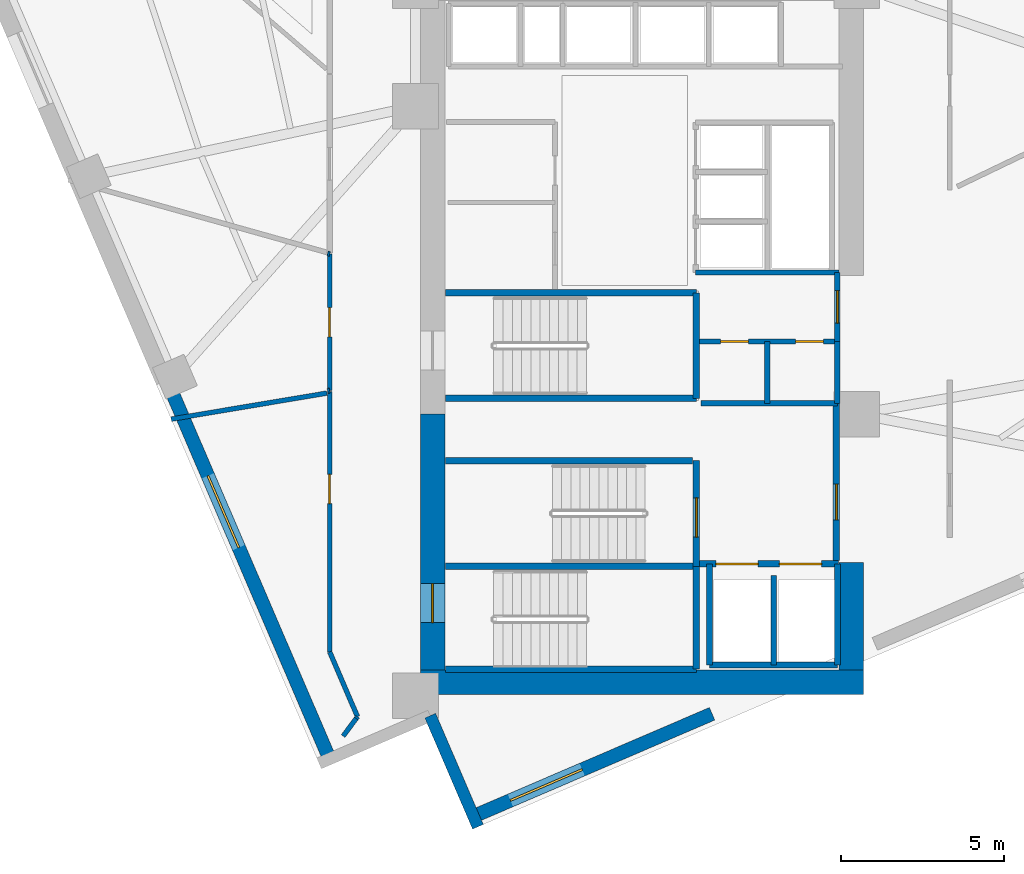
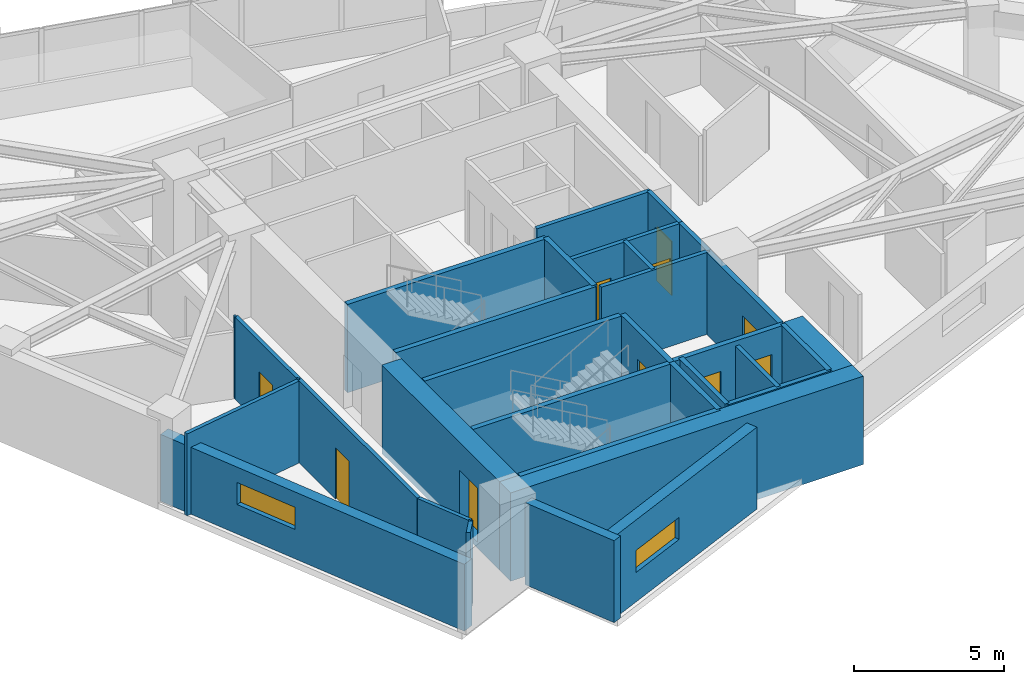
# One storey, part 9 of 14: 34 walls, 10 doors, 2 windows, 12 openings.
"""IFC4 building model written with IfcOpenShell, lengths in metres."""

import ifcopenshell
import ifcopenshell.guid

model = None  # the IFC model being written
_history = None  # IfcOwnerHistory: only IFC2X3 demands one
_inside = {}  # id of a spatial element -> (the spatial element, [elements in it])
_under = {}  # id of a project, library or spatial element -> (it, [spatial elements below it])
_declared = {}  # id of a project -> (the project, [libraries it declares])
_typed = {}  # id of a type object -> (the type object, [elements of that type])
_made_of = {}  # id of a material, layer set ... -> (it, [elements and type objects made of it])


def new_model(schema):
    """Start an empty IFC model of exactly this schema.

    Asked for "IFC4X3", IfcOpenShell would pick the latest addendum, in which some entities
    have other attributes; the version numbers below select the first issue.
    IFC2X3 requires an IfcOwnerHistory on every rooted entity: one is made here for all.
    """
    global model, _history
    if schema == "IFC4X3":
        model = ifcopenshell.file(schema_version=(4, 3, 0, 0))
    else:
        model = ifcopenshell.file(schema=schema)
    _inside.clear()
    _under.clear()
    _declared.clear()
    _typed.clear()
    _made_of.clear()
    _history = None
    if model.schema == "IFC2X3":
        org = make("IfcOrganization", Name="unknown")
        user = make(
            "IfcPersonAndOrganization",
            ThePerson=make("IfcPerson", FamilyName="unknown"),
            TheOrganization=org,
        )
        app = make(
            "IfcApplication",
            ApplicationDeveloper=org,
            Version="unknown",
            ApplicationFullName="unknown",
            ApplicationIdentifier="unknown",
        )
        _history = make(
            "IfcOwnerHistory",
            OwningUser=user,
            OwningApplication=app,
            ChangeAction="ADDED",
            CreationDate=0,
        )
    return model


def make(cls, **values):
    """One entity of the class cls with the attributes given. An attribute that is None is left unset."""
    return model.create_entity(
        cls, **{name: value for name, value in values.items() if value is not None}
    )


def rooted(cls, **values):
    """An entity with a GlobalId (a new one), such as an element, a storey or a relation."""
    return make(cls, GlobalId=ifcopenshell.guid.new(), OwnerHistory=_history, **values)


def si_unit(unit_type, name, prefix=None):
    """IfcSIUnit, for example si_unit("LENGTHUNIT", "METRE", prefix="MILLI")."""
    return make("IfcSIUnit", UnitType=unit_type, Prefix=prefix, Name=name)


def assignment(units):
    """IfcUnitAssignment: the units of a project."""
    return None if units is None else make("IfcUnitAssignment", Units=units)


def point(xyz):
    """IfcCartesianPoint."""
    return None if xyz is None else make("IfcCartesianPoint", Coordinates=xyz)


def direction(xyz):
    """IfcDirection."""
    return None if xyz is None else make("IfcDirection", DirectionRatios=xyz)


def frame(location, z_axis=None, x_axis=None):
    """IfcAxis2Placement3D, a coordinate frame: its origin and axes. An axis left out is left unset."""
    return make(
        "IfcAxis2Placement3D",
        Location=point(location),
        Axis=direction(z_axis),
        RefDirection=direction(x_axis),
    )


def frame_2d(location, x_axis=None):
    """IfcAxis2Placement2D, a coordinate frame in the plane: its origin and x axis."""
    return make(
        "IfcAxis2Placement2D", Location=point(location), RefDirection=direction(x_axis)
    )


def origin():
    """The frame at (0, 0, 0) with its axes left unset."""
    return frame((0.0, 0.0, 0.0))


def place(relative_to, where):
    """IfcLocalPlacement: puts the frame where relative to a parent placement (None: the world)."""
    return make(
        "IfcLocalPlacement", PlacementRelTo=relative_to, RelativePlacement=where
    )


def context(
    kind, dimensions, precision=None, world=None, true_north=None, identifier=None
):
    """IfcGeometricRepresentationContext, for example the 3D "Model" context."""
    return make(
        "IfcGeometricRepresentationContext",
        ContextIdentifier=identifier,
        ContextType=kind,
        CoordinateSpaceDimension=dimensions,
        Precision=precision,
        WorldCoordinateSystem=world,
        TrueNorth=true_north,
    )


def subcontext(parent, identifier, kind, view, scale=None):
    """IfcGeometricRepresentationSubContext, for example "Body" below "Model"."""
    return make(
        "IfcGeometricRepresentationSubContext",
        ContextIdentifier=identifier,
        ContextType=kind,
        ParentContext=parent,
        TargetScale=scale,
        TargetView=view,
    )


def project(units=None, contexts=None):
    """IfcProject with its units and contexts."""
    return rooted(
        "IfcProject",
        Name="project",
        RepresentationContexts=contexts,
        UnitsInContext=assignment(units),
    )


def spatial(cls, under=None, at=None, **own):
    """A site, building, storey or space (cls), placed at a placement, below another one or the project."""
    s = rooted(cls, ObjectPlacement=at, **own)
    if under is not None:
        _under.setdefault(under.id(), (under, []))[1].append(s)
    return s


def profile(cls, at=None, kind="AREA", **sizes):
    """A parametric profile (cls). Its sizes go by their IFC names, for example OverallWidth=200.0."""
    return make(cls, ProfileType=kind, Position=at, **sizes)


def rectangle(**sizes):
    """IfcRectangleProfileDef."""
    return profile("IfcRectangleProfileDef", **sizes)


def extrude(swept, where, along, depth):
    """IfcExtrudedAreaSolid: the profile swept, set in the frame where, extruded along a direction by depth."""
    return make(
        "IfcExtrudedAreaSolid",
        SweptArea=swept,
        Position=where,
        ExtrudedDirection=direction(along),
        Depth=depth,
    )


def shape(context_of_items, identifier, shape_type, items):
    """IfcShapeRepresentation: the items that make up one representation, for example the "Body"."""
    return make(
        "IfcShapeRepresentation",
        ContextOfItems=context_of_items,
        RepresentationIdentifier=identifier,
        RepresentationType=shape_type,
        Items=items,
    )


def material(Name=None, Category=None):
    """IfcMaterial."""
    return make("IfcMaterial", Name=Name, Category=Category)


def layer(
    of_material, thickness, ventilated=None, Name=None, Category=None, Priority=None
):
    """IfcMaterialLayer: one layer of a wall or slab, of a material (None: an air gap)."""
    return make(
        "IfcMaterialLayer",
        Material=of_material,
        LayerThickness=thickness,
        IsVentilated=ventilated,
        Name=Name,
        Category=Category,
        Priority=Priority,
    )


def layer_set(layers, Name=None):
    """IfcMaterialLayerSet."""
    return make("IfcMaterialLayerSet", MaterialLayers=layers, LayerSetName=Name)


def made_of(thing, what):
    """Note that an element or type object is made of a material, layer set ...; save() writes the relation."""
    if what is not None:
        _made_of.setdefault(what.id(), (what, []))[1].append(thing)
    return thing


def type_object(cls, material=None, **own):
    """A type object (cls), such as IfcWallType, which elements share."""
    return made_of(rooted(cls, **own), material)


def element(
    cls,
    number,
    at=None,
    inside=None,
    cuts=None,
    type_object=None,
    material=None,
    context=None,
    identifier="Body",
    shape_type=None,
    held_by="IfcProductDefinitionShape",
    body=None,
    shapes=None,
    **own,
):
    """One element of the class cls, such as IfcWall. Its Tag is "e" and its number.

    at: its placement. inside: the storey or other place that contains it. cuts: it is an
    opening in that element (IfcRelVoidsElement). A single representation is given by context,
    identifier, shape_type and body (its items); several are given by shapes. held_by: the class
    of the entity that holds the representations. save() writes the other relations.
    """
    e = rooted(cls, Tag="e%d" % number, ObjectPlacement=at, **own)
    if body is not None:
        shapes = [shape(context, identifier, shape_type, body)]
    if shapes is not None:
        e.Representation = make(held_by, Representations=shapes)
    if inside is not None:
        _inside.setdefault(inside.id(), (inside, []))[1].append(e)
    if cuts is not None:
        rooted(
            "IfcRelVoidsElement", RelatingBuildingElement=cuts, RelatedOpeningElement=e
        )
    if type_object is not None:
        _typed.setdefault(type_object.id(), (type_object, []))[1].append(e)
    return made_of(e, material)


def fill(opening, filler):
    """IfcRelFillsElement: the door or window that sits in an opening."""
    return rooted(
        "IfcRelFillsElement",
        RelatingOpeningElement=opening,
        RelatedBuildingElement=filler,
    )


def aggregate(whole, parts):
    """IfcRelAggregates: a whole, such as a stair, and the parts it consists of."""
    return rooted("IfcRelAggregates", RelatingObject=whole, RelatedObjects=parts)


def save(model, path):
    """Write the relations noted so far, then the file.

    IfcRelAggregates (storeys below a building ...), IfcRelContainedInSpatialStructure (elements
    in a storey), IfcRelDefinesByType, IfcRelAssociatesMaterial and IfcRelDeclares: one each for
    every whole, place, type object, material and project.
    """
    for whole, parts in _under.values():
        aggregate(whole, parts)
    for where, things in _inside.values():
        rooted(
            "IfcRelContainedInSpatialStructure",
            RelatedElements=things,
            RelatingStructure=where,
        )
    for kind, things in _typed.values():
        rooted("IfcRelDefinesByType", RelatedObjects=things, RelatingType=kind)
    for what, things in _made_of.values():
        rooted("IfcRelAssociatesMaterial", RelatedObjects=things, RelatingMaterial=what)
    for by, libraries in _declared.values():
        rooted("IfcRelDeclares", RelatingContext=by, RelatedDefinitions=libraries)
    model.write(path)


model = new_model("IFC4")

# Units and contexts
model_context = context("Model", 3, precision=1e-05, world=origin(), true_north=direction((0.0, 1.0)))
body_context = subcontext(model_context, "Body", "Model", "MODEL_VIEW")
ifc_project = project(units=[si_unit("LENGTHUNIT", "METRE"), si_unit("AREAUNIT", "SQUARE_METRE"), si_unit("VOLUMEUNIT", "CUBIC_METRE"), si_unit("PLANEANGLEUNIT", "RADIAN"), si_unit("MASSUNIT", "GRAM", prefix="KILO")], contexts=[model_context])

# Site, building, storey
site_placement = place(None, origin())
site = spatial("IfcSite", under=ifc_project, at=site_placement, CompositionType="ELEMENT")
building_placement = place(site_placement, origin())
building = spatial("IfcBuilding", under=site, at=building_placement, Name="Narakoshi Arena Tower", CompositionType="ELEMENT")
storey_placement = place(building_placement, frame((0.0, 0.0, 175.5)))
storey = spatial("IfcBuildingStorey", under=building, at=storey_placement, Name="L47", CompositionType="ELEMENT", Elevation=175.5)

# Wall, opening, door
ifc_material_1 = material(Name="Concrete C50/60", Category="concrete")
ifc_layer_1 = layer(ifc_material_1, 0.75)
ifc_layer_set_1 = layer_set([ifc_layer_1], Name="Concrete C50/60")
wall_type_1 = type_object("IfcWallType", Name="WL-CORE-750", PredefinedType="SHEAR", material=ifc_layer_set_1)
wall_1_placement = place(storey_placement, frame((72.52490234375, 35.5, -0.260009765625), z_axis=(0.0, 0.0, 1.0), x_axis=(0.0, 1.0, 0.0)))
wall_1 = element("IfcWall", 1, at=wall_1_placement, inside=storey, type_object=wall_type_1, Name="L47 Central Core Shear Wall CW-APX-W", PredefinedType="SHEAR", context=body_context, shape_type="SweptSolid", body=[
    extrude(rectangle(XDim=7.85009765625, YDim=0.75, at=frame_2d((3.925048828125, 0.0))), origin(), (0.0, 0.0, 1.0), 3.60009765625),
])
opening_1_placement = place(wall_1_placement, frame((1.449951171875, 0.0, 0.260009765625)))
opening_1 = element("IfcOpeningElement", 2, at=opening_1_placement, cuts=wall_1, Name="Opening D-03", PredefinedType="OPENING", context=body_context, shape_type="SweptSolid", body=[
    extrude(rectangle(XDim=1.199951171875, YDim=2.199951171875, at=frame_2d((0.60009765625, 1.10009765625))), frame((0.0, 0.385009765625, 0.0), z_axis=(0.0, -1.0, 0.0), x_axis=(1.0, 0.0, 0.0)), (0.0, 0.0, 1.0), 0.77001953125),
])
ifc_material_2 = material(Name="Painted galvanized steel", Category="steel")
door_type_1 = type_object("IfcDoorType", Name="DR-STR-1200", OperationType="NOTDEFINED", PredefinedType="USERDEFINED", material=ifc_material_2)
door_1_placement = place(opening_1_placement, frame((1.199951171875, 0.0, 0.0), z_axis=(0.0, 0.0, 1.0), x_axis=(-1.0, 0.0, 0.0)))
door_1 = element("IfcDoor", 3, at=door_1_placement, inside=storey, type_object=door_type_1, Name="DR-L47-001", ObjectType="EXITDOOR", OperationType="SINGLE_SWING_LEFT", OverallHeight=2.199951171875, OverallWidth=1.199951171875, PredefinedType="USERDEFINED", context=body_context, shape_type="SweptSolid", body=[
    extrude(rectangle(XDim=1.199951171875, YDim=2.199951171875, at=frame_2d((0.60009765625, 1.10009765625))), frame((0.0, 0.02490234375, 0.0), z_axis=(0.0, -1.0, 0.0), x_axis=(1.0, 0.0, 0.0)), (0.0, 0.0, 1.0), 0.050048828125),
])
fill(opening_1, door_1)

# Walls
wall_2_placement = place(storey_placement, frame((72.14990234375, 35.125, -0.260009765625), z_axis=(0.0, 0.0, 1.0), x_axis=(1.0, 0.0, 0.0)))
element("IfcWall", 4, at=wall_2_placement, inside=storey, type_object=wall_type_1, Name="L47 Central Core Shear Wall CW-APX-S", PredefinedType="SHEAR", context=body_context, shape_type="SweptSolid", body=[
    extrude(rectangle(XDim=13.60009765625, YDim=0.75, at=frame_2d((6.800048828125, 0.0))), origin(), (0.0, 0.0, 1.0), 3.60009765625),
])
wall_3_placement = place(storey_placement, frame((85.375, 35.5, -0.260009765625), z_axis=(0.0, 0.0, 1.0), x_axis=(0.0, 1.0, 0.0)))
element("IfcWall", 5, at=wall_3_placement, inside=storey, type_object=wall_type_1, Name="L47 Central Core Shear Wall CW-APX-E", PredefinedType="SHEAR", context=body_context, shape_type="SweptSolid", body=[
    extrude(rectangle(XDim=3.300048828125, YDim=0.75, at=frame_2d((1.64990234375, 0.0))), origin(), (0.0, 0.0, 1.0), 3.60009765625),
])

# Wall, opening, door
ifc_material_3 = material(Name="Gypsum plasterboard fire-rated partition")
ifc_layer_2 = layer(ifc_material_3, 0.1650390625)
ifc_layer_set_2 = layer_set([ifc_layer_2], Name="Gypsum plasterboard fire-rated partition")
wall_type_2 = type_object("IfcWallType", Name="WL-CORR-165", PredefinedType="PARTITIONING", material=ifc_layer_set_2)
wall_4_placement = place(storey_placement, frame((84.949951171875, 45.580078125, 0.0), z_axis=(0.0, 0.0, 1.0), x_axis=(0.0, 1.0, 0.0)))
wall_4 = element("IfcWall", 6, at=wall_4_placement, inside=storey, type_object=wall_type_2, Name="L47 Core Wall CPAS-E", PredefinedType="PARTITIONING", context=body_context, shape_type="SweptSolid", body=[
    extrude(rectangle(XDim=2.119873046875, YDim=0.1650390625, at=frame_2d((1.06005859375, 0.0))), origin(), (0.0, 0.0, 1.0), 3.340087890625),
])
opening_2_placement = place(wall_4_placement, frame((0.56005859375, 0.0, 0.0)))
opening_2 = element("IfcOpeningElement", 7, at=opening_2_placement, cuts=wall_4, Name="Opening D-06", PredefinedType="OPENING", context=body_context, shape_type="SweptSolid", body=[
    extrude(rectangle(XDim=1.0, YDim=2.199951171875, at=frame_2d((0.5, 1.10009765625))), frame((0.0, 0.092529296875, 0.0), z_axis=(0.0, -1.0, 0.0), x_axis=(1.0, 0.0, 0.0)), (0.0, 0.0, 1.0), 0.18505859375),
])
ifc_material_4 = material(Name="Stained oak solid-core timber", Category="wood")
door_type_2 = type_object("IfcDoorType", Name="DR-OFF-1000", OperationType="NOTDEFINED", PredefinedType="DOOR", material=ifc_material_4)
door_2_placement = place(opening_2_placement, frame((1.0, 0.0, 0.0), z_axis=(0.0, 0.0, 1.0), x_axis=(-1.0, 0.0, 0.0)))
door_2 = element("IfcDoor", 8, at=door_2_placement, inside=storey, type_object=door_type_2, Name="DR-L47-007", OperationType="SINGLE_SWING_LEFT", OverallHeight=2.199951171875, OverallWidth=1.0, PredefinedType="DOOR", context=body_context, shape_type="SweptSolid", body=[
    extrude(rectangle(XDim=1.0, YDim=2.199951171875, at=frame_2d((0.5, 1.10009765625))), frame((0.0, 0.02490234375, 0.0), z_axis=(0.0, -1.0, 0.0), x_axis=(1.0, 0.0, 0.0)), (0.0, 0.0, 1.0), 0.050048828125),
])
fill(opening_2, door_2)

# Wall, opening, window
ifc_material_5 = material(Name="Precast concrete C45/55", Category="concrete")
ifc_layer_3 = layer(ifc_material_5, 0.419921875)
ifc_layer_set_3 = layer_set([ifc_layer_3], Name="Precast concrete C45/55")
wall_type_3 = type_object("IfcWallType", Name="WL-POD-420", PredefinedType="SOLIDWALL", material=ifc_layer_set_3)
wall_5_placement = place(storey_placement, frame((73.77880859375, 31.002685546875, 0.0), z_axis=(0.0, 0.0, 1.0), x_axis=(0.918797817688, 0.394728476565, 0.0)))
wall_5 = element("IfcWall", 9, at=wall_5_placement, inside=storey, type_object=wall_type_3, Name="L47 Architectural Concrete Facade Wall LEGA-1", PredefinedType="SOLIDWALL", context=body_context, shape_type="SweptSolid", body=[
    extrude(rectangle(XDim=7.97314453125, YDim=0.419921875, at=frame_2d((3.986572265625, 0.0))), origin(), (0.0, 0.0, 1.0), 3.340087890625),
])
opening_3_placement = place(wall_5_placement, frame((1.234130859375, 0.0, 1.199951171875)))
opening_3 = element("IfcOpeningElement", 10, at=opening_3_placement, cuts=wall_5, Name="Opening WN-01", PredefinedType="OPENING", context=body_context, shape_type="SweptSolid", body=[
    extrude(rectangle(XDim=2.39990234375, YDim=0.89990234375, at=frame_2d((1.199951171875, 0.449951171875))), frame((0.0, 0.219970703125, 0.0), z_axis=(0.0, -1.0, 0.0), x_axis=(1.0, 0.0, 0.0)), (0.0, 0.0, 1.0), 0.43994140625),
])
ifc_material_6 = material(Name="Bronze-tinted low-E laminated glass", Category="glass")
window_type = type_object("IfcWindowType", Name="WIN-SLT-24x09", PartitioningType="SINGLE_PANEL", PredefinedType="WINDOW", material=ifc_material_6)
window_1_placement = place(opening_3_placement, origin())
window_1 = element("IfcWindow", 11, at=window_1_placement, inside=storey, type_object=window_type, Name="L47 LEGA1 Horizontal Slot Window 1", OverallHeight=0.89990234375, OverallWidth=2.39990234375, PartitioningType="SINGLE_PANEL", PredefinedType="WINDOW", context=body_context, shape_type="SweptSolid", body=[
    extrude(rectangle(XDim=2.39990234375, YDim=0.89990234375, at=frame_2d((1.199951171875, 0.449951171875))), frame((0.0, 0.030029296875, 0.0), z_axis=(0.0, -1.0, 0.0), x_axis=(1.0, 0.0, 0.0)), (0.0, 0.0, 1.0), 0.06005859375),
])
fill(opening_3, window_1)

wall_6_placement = place(storey_placement, frame((64.36669921875, 44.390869140625, 0.0), z_axis=(0.0, 0.0, 1.0), x_axis=(0.394757430431, -0.918785378159, 0.0)))
wall_6 = element("IfcWall", 12, at=wall_6_placement, inside=storey, type_object=wall_type_3, Name="L47 Architectural Concrete Facade Wall LEGB-3", PredefinedType="SOLIDWALL", context=body_context, shape_type="SweptSolid", body=[
    extrude(rectangle(XDim=12.653564453125, YDim=0.419921875, at=frame_2d((6.32666015625, 0.0))), origin(), (0.0, 0.0, 1.0), 2.72509765625),
])
opening_4_placement = place(wall_6_placement, frame((3.193115234375, 0.0, 1.199951171875)))
opening_4 = element("IfcOpeningElement", 13, at=opening_4_placement, cuts=wall_6, Name="Opening WN-01", PredefinedType="OPENING", context=body_context, shape_type="SweptSolid", body=[
    extrude(rectangle(XDim=2.39990234375, YDim=0.89990234375, at=frame_2d((1.199951171875, 0.449951171875))), frame((0.0, 0.219970703125, 0.0), z_axis=(0.0, -1.0, 0.0), x_axis=(1.0, 0.0, 0.0)), (0.0, 0.0, 1.0), 0.43994140625),
])
window_2_placement = place(opening_4_placement, origin())
window_2 = element("IfcWindow", 14, at=window_2_placement, inside=storey, type_object=window_type, Name="L47 LEGB3 Horizontal Slot Window 1", OverallHeight=0.89990234375, OverallWidth=2.39990234375, PartitioningType="SINGLE_PANEL", PredefinedType="WINDOW", context=body_context, shape_type="SweptSolid", body=[
    extrude(rectangle(XDim=2.39990234375, YDim=0.89990234375, at=frame_2d((1.199951171875, 0.449951171875))), frame((0.0, 0.030029296875, 0.0), z_axis=(0.0, -1.0, 0.0), x_axis=(1.0, 0.0, 0.0)), (0.0, 0.0, 1.0), 0.06005859375),
])
fill(opening_4, window_2)

# Walls
wall_7_placement = place(storey_placement, frame((72.451416015625, 34.09228515625, 0.0), z_axis=(0.0, 0.0, 1.0), x_axis=(0.394752464447, -0.918787511786, 0.0)))
element("IfcWall", 15, at=wall_7_placement, inside=storey, type_object=wall_type_3, Name="L47 Re-Entrant Corner Notch Wall NTA-2", PredefinedType="SOLIDWALL", context=body_context, shape_type="SweptSolid", body=[
    extrude(rectangle(XDim=3.712646484375, YDim=0.360107421875, at=frame_2d((1.8564453125, 0.0))), origin(), (0.0, 0.0, 1.0), 3.340087890625),
])
ifc_material_7 = material(Name="Concrete C40/50", Category="concrete")
ifc_layer_4 = layer(ifc_material_7, 0.280029296875)
ifc_layer_set_4 = layer_set([ifc_layer_4], Name="Concrete C40/50")
wall_type_4 = type_object("IfcWallType", Name="WL-RISER-280", PredefinedType="PLUMBINGWALL", material=ifc_layer_set_4)
wall_8_placement = place(storey_placement, frame((83.0, 35.64990234375, 0.0), z_axis=(0.0, 0.0, 1.0), x_axis=(0.0, 1.0, 0.0)))
element("IfcWall", 16, at=wall_8_placement, inside=storey, type_object=wall_type_4, Name="L47 Core Wall FF-DIV", PredefinedType="PLUMBINGWALL", context=body_context, shape_type="SweptSolid", body=[
    extrude(rectangle(XDim=2.75, YDim=0.159912109375, at=frame_2d((1.375, 0.0))), origin(), (0.0, 0.0, 1.0), 3.340087890625),
])
wall_9_placement = place(storey_placement, frame((84.949951171875, 43.679931640625, 0.0), z_axis=(0.0, 0.0, 1.0), x_axis=(0.0, 1.0, 0.0)))
element("IfcWall", 17, at=wall_9_placement, inside=storey, type_object=wall_type_4, Name="L47 Core Wall RSR-E", PredefinedType="PLUMBINGWALL", context=body_context, shape_type="SweptSolid", body=[
    extrude(rectangle(XDim=1.900146484375, YDim=0.1650390625, at=frame_2d((0.9501953125, 0.0))), origin(), (0.0, 0.0, 1.0), 3.340087890625),
])

# Wall, openings, doors
wall_10_placement = place(storey_placement, frame((80.719970703125, 45.580078125, 0.0), z_axis=(0.0, 0.0, 1.0), x_axis=(1.0, 0.0, 0.0)))
wall_10 = element("IfcWall", 18, at=wall_10_placement, inside=storey, type_object=wall_type_4, Name="L47 Core Wall RSR-N", PredefinedType="PLUMBINGWALL", context=body_context, shape_type="SweptSolid", body=[
    extrude(rectangle(XDim=4.22998046875, YDim=0.159912109375, at=frame_2d((2.114990234375, 0.0))), origin(), (0.0, 0.0, 1.0), 3.340087890625),
])
opening_5_placement = place(wall_10_placement, frame((0.64990234375, 0.0, 0.0)))
opening_5 = element("IfcOpeningElement", 19, at=opening_5_placement, cuts=wall_10, Name="Opening D-10", PredefinedType="OPENING", context=body_context, shape_type="SweptSolid", body=[
    extrude(rectangle(XDim=0.85009765625, YDim=2.050048828125, at=frame_2d((0.425048828125, 1.02490234375))), frame((0.0, 0.08984375, 0.0), z_axis=(0.0, -1.0, 0.0), x_axis=(1.0, 0.0, 0.0)), (0.0, 0.0, 1.0), 0.179931640625),
])
opening_6_placement = place(wall_10_placement, frame((2.949951171875, 0.0, 0.0)))
opening_6 = element("IfcOpeningElement", 20, at=opening_6_placement, cuts=wall_10, Name="Opening D-10", PredefinedType="OPENING", context=body_context, shape_type="SweptSolid", body=[
    extrude(rectangle(XDim=0.85009765625, YDim=2.050048828125, at=frame_2d((0.425048828125, 1.02490234375))), frame((0.0, 0.08984375, 0.0), z_axis=(0.0, -1.0, 0.0), x_axis=(1.0, 0.0, 0.0)), (0.0, 0.0, 1.0), 0.179931640625),
])
door_type_3 = type_object("IfcDoorType", Name="DR-RSR-850", OperationType="NOTDEFINED", PredefinedType="DOOR", material=ifc_material_2)
door_3_placement = place(opening_5_placement, frame((0.85009765625, 0.0, 0.0), z_axis=(0.0, 0.0, 1.0), x_axis=(-1.0, 0.0, 0.0)))
door_3 = element("IfcDoor", 21, at=door_3_placement, inside=storey, type_object=door_type_3, Name="DR-L47-008", OperationType="SINGLE_SWING_LEFT", OverallHeight=2.050048828125, OverallWidth=0.85009765625, PredefinedType="DOOR", context=body_context, shape_type="SweptSolid", body=[
    extrude(rectangle(XDim=0.85009765625, YDim=2.050048828125, at=frame_2d((0.425048828125, 1.02490234375))), frame((0.0, 0.02490234375, 0.0), z_axis=(0.0, -1.0, 0.0), x_axis=(1.0, 0.0, 0.0)), (0.0, 0.0, 1.0), 0.050048828125),
])
fill(opening_5, door_3)
door_4_placement = place(opening_6_placement, frame((0.85009765625, 0.0, 0.0), z_axis=(0.0, 0.0, 1.0), x_axis=(-1.0, 0.0, 0.0)))
door_4 = element("IfcDoor", 22, at=door_4_placement, inside=storey, type_object=door_type_3, Name="DR-L47-009", OperationType="SINGLE_SWING_RIGHT", OverallHeight=2.050048828125, OverallWidth=0.85009765625, PredefinedType="DOOR", context=body_context, shape_type="SweptSolid", body=[
    extrude(rectangle(XDim=0.85009765625, YDim=2.050048828125, at=frame_2d((0.425048828125, 1.02490234375))), frame((0.0, 0.02490234375, 0.0), z_axis=(0.0, -1.0, 0.0), x_axis=(1.0, 0.0, 0.0)), (0.0, 0.0, 1.0), 0.050048828125),
])
fill(opening_6, door_4)

# Walls
wall_11_placement = place(storey_placement, frame((80.760009765625, 43.679931640625, 0.0), z_axis=(0.0, 0.0, 1.0), x_axis=(1.0, 0.0, 0.0)))
element("IfcWall", 23, at=wall_11_placement, inside=storey, type_object=wall_type_4, Name="L47 Core Wall RSR-S", PredefinedType="PLUMBINGWALL", context=body_context, shape_type="SweptSolid", body=[
    extrude(rectangle(XDim=4.18994140625, YDim=0.159912109375, at=frame_2d((2.094970703125, 0.0))), origin(), (0.0, 0.0, 1.0), 3.340087890625),
])
wall_12_placement = place(storey_placement, frame((82.800048828125, 43.679931640625, 0.0), z_axis=(0.0, 0.0, 1.0), x_axis=(0.0, 1.0, 0.0)))
element("IfcWall", 24, at=wall_12_placement, inside=storey, type_object=wall_type_4, Name="L47 Core Wall RSR-M", PredefinedType="PLUMBINGWALL", context=body_context, shape_type="SweptSolid", body=[
    extrude(rectangle(XDim=1.900146484375, YDim=0.159912109375, at=frame_2d((0.9501953125, 0.0))), origin(), (0.0, 0.0, 1.0), 3.340087890625),
])
ifc_layer_5 = layer(ifc_material_1, 0.35009765625)
ifc_layer_set_5 = layer_set([ifc_layer_5], Name="Concrete C50/60")
wall_type_5 = type_object("IfcWallType", Name="WL-SHAFT-350", PredefinedType="SOLIDWALL", material=ifc_layer_set_5)
for number, where, z_axis, x_axis, name in (
    (25, (72.919921875, 35.52001953125, -0.260009765625), (0.0, 0.0, 1.0), (1.0, 0.0, 0.0), "L47 Core Wall ST1-S"),
    (26, (72.919921875, 38.675048828125, -0.260009765625), (0.0, 0.0, 1.0), (1.0, 0.0, 0.0), "L47 Core Wall ST12-DIV"),
):
    element("IfcWall", number, at=place(storey_placement, frame(where, z_axis=z_axis, x_axis=x_axis)), inside=storey, type_object=wall_type_5, Name=name, PredefinedType="SOLIDWALL", context=body_context, shape_type="SweptSolid", body=[
        extrude(rectangle(XDim=7.7001953125, YDim=0.199951171875, at=frame_2d((3.85009765625, 0.0))), origin(), (0.0, 0.0, 1.0), 3.60009765625),
    ])
wall_13_placement = place(storey_placement, frame((80.6201171875, 35.52001953125, -0.260009765625), z_axis=(0.0, 0.0, 1.0), x_axis=(0.0, 1.0, 0.0)))
element("IfcWall", 27, at=wall_13_placement, inside=storey, type_object=wall_type_5, Name="L47 Core Wall ST1-E", PredefinedType="SOLIDWALL", context=body_context, shape_type="SweptSolid", body=[
    extrude(rectangle(XDim=3.155029296875, YDim=0.199951171875, at=frame_2d((1.57763671875, 0.0))), origin(), (0.0, 0.0, 1.0), 3.60009765625),
])

# Wall, opening, door
wall_14_placement = place(storey_placement, frame((80.6201171875, 38.675048828125, -0.260009765625), z_axis=(0.0, 0.0, 1.0), x_axis=(0.0, 1.0, 0.0)))
wall_14 = element("IfcWall", 28, at=wall_14_placement, inside=storey, type_object=wall_type_5, Name="L47 Core Wall ST2-E", PredefinedType="SOLIDWALL", context=body_context, shape_type="SweptSolid", body=[
    extrude(rectangle(XDim=3.244873046875, YDim=0.199951171875, at=frame_2d((1.62255859375, 0.0))), origin(), (0.0, 0.0, 1.0), 3.60009765625),
])
opening_7_placement = place(wall_14_placement, frame((0.89990234375, 0.0, 0.260009765625)))
opening_7 = element("IfcOpeningElement", 29, at=opening_7_placement, cuts=wall_14, Name="Opening D-03", PredefinedType="OPENING", context=body_context, shape_type="SweptSolid", body=[
    extrude(rectangle(XDim=1.199951171875, YDim=2.199951171875, at=frame_2d((0.60009765625, 1.10009765625))), frame((0.0, 0.10986328125, 0.0), z_axis=(0.0, -1.0, 0.0), x_axis=(1.0, 0.0, 0.0)), (0.0, 0.0, 1.0), 0.219970703125),
])
door_5_placement = place(opening_7_placement, origin())
door_5 = element("IfcDoor", 30, at=door_5_placement, inside=storey, type_object=door_type_1, Name="DR-L47-002", ObjectType="EXITDOOR", OperationType="SINGLE_SWING_RIGHT", OverallHeight=2.199951171875, OverallWidth=1.199951171875, PredefinedType="USERDEFINED", context=body_context, shape_type="SweptSolid", body=[
    extrude(rectangle(XDim=1.199951171875, YDim=2.199951171875, at=frame_2d((0.60009765625, 1.10009765625))), frame((0.0, 0.02490234375, 0.0), z_axis=(0.0, -1.0, 0.0), x_axis=(1.0, 0.0, 0.0)), (0.0, 0.0, 1.0), 0.050048828125),
])
fill(opening_7, door_5)

# Wall, openings, doors
wall_15_placement = place(storey_placement, frame((80.719970703125, 38.75, 0.0), z_axis=(0.0, 0.0, 1.0), x_axis=(1.0, 0.0, 0.0)))
wall_15 = element("IfcWall", 31, at=wall_15_placement, inside=storey, type_object=wall_type_5, Name="L47 Core Wall FF-N", PredefinedType="SOLIDWALL", context=body_context, shape_type="SweptSolid", body=[
    extrude(rectangle(XDim=4.260009765625, YDim=0.199951171875, at=frame_2d((2.1298828125, 0.0))), origin(), (0.0, 0.0, 1.0), 3.340087890625),
])
opening_8_placement = place(wall_15_placement, frame((0.5, 0.0, 0.0)))
opening_8 = element("IfcOpeningElement", 32, at=opening_8_placement, cuts=wall_15, Name="Opening LD-02", PredefinedType="OPENING", context=body_context, shape_type="SweptSolid", body=[
    extrude(rectangle(XDim=1.300048828125, YDim=2.300048828125, at=frame_2d((0.64990234375, 1.14990234375))), frame((0.0, 0.10986328125, 0.0), z_axis=(0.0, -1.0, 0.0), x_axis=(1.0, 0.0, 0.0)), (0.0, 0.0, 1.0), 0.219970703125),
])
opening_9_placement = place(wall_15_placement, frame((2.449951171875, 0.0, 0.0)))
opening_9 = element("IfcOpeningElement", 33, at=opening_9_placement, cuts=wall_15, Name="Opening LD-02", PredefinedType="OPENING", context=body_context, shape_type="SweptSolid", body=[
    extrude(rectangle(XDim=1.300048828125, YDim=2.300048828125, at=frame_2d((0.64990234375, 1.14990234375))), frame((0.0, 0.10986328125, 0.0), z_axis=(0.0, -1.0, 0.0), x_axis=(1.0, 0.0, 0.0)), (0.0, 0.0, 1.0), 0.219970703125),
])
ifc_material_8 = material(Name="Brushed bronze stainless steel", Category="steel")
door_type_4 = type_object("IfcDoorType", Name="DR-LFT-1300", OperationType="DOUBLE_DOOR_SLIDING", PredefinedType="DOOR", material=ifc_material_8)
door_6_placement = place(opening_8_placement, origin())
door_6 = element("IfcDoor", 34, at=door_6_placement, inside=storey, type_object=door_type_4, Name="DR-L47-003", OperationType="DOUBLE_DOOR_SLIDING", OverallHeight=2.300048828125, OverallWidth=1.300048828125, PredefinedType="DOOR", context=body_context, shape_type="SweptSolid", body=[
    extrude(rectangle(XDim=1.300048828125, YDim=2.300048828125, at=frame_2d((0.64990234375, 1.14990234375))), frame((0.0, 0.02490234375, 0.0), z_axis=(0.0, -1.0, 0.0), x_axis=(1.0, 0.0, 0.0)), (0.0, 0.0, 1.0), 0.050048828125),
])
fill(opening_8, door_6)
door_7_placement = place(opening_9_placement, origin())
door_7 = element("IfcDoor", 35, at=door_7_placement, inside=storey, type_object=door_type_4, Name="DR-L47-004", OperationType="DOUBLE_DOOR_SLIDING", OverallHeight=2.300048828125, OverallWidth=1.300048828125, PredefinedType="DOOR", context=body_context, shape_type="SweptSolid", body=[
    extrude(rectangle(XDim=1.300048828125, YDim=2.300048828125, at=frame_2d((0.64990234375, 1.14990234375))), frame((0.0, 0.02490234375, 0.0), z_axis=(0.0, -1.0, 0.0), x_axis=(1.0, 0.0, 0.0)), (0.0, 0.0, 1.0), 0.050048828125),
])
fill(opening_9, door_7)

# Walls
for number, where, z_axis, x_axis, name in (
    (36, (84.949951171875, 35.64990234375, 0.0), (0.0, 0.0, 1.0), (0.0, 1.0, 0.0), "L47 Core Wall FF-E"),
    (37, (81.02001953125, 35.64990234375, 0.0), (0.0, 0.0, 1.0), (0.0, 1.0, 0.0), "L47 Core Wall FF-W"),
):
    element("IfcWall", number, at=place(storey_placement, frame(where, z_axis=z_axis, x_axis=x_axis)), inside=storey, type_object=wall_type_5, Name=name, PredefinedType="SOLIDWALL", context=body_context, shape_type="SweptSolid", body=[
        extrude(rectangle(XDim=3.10009765625, YDim=0.179931640625, at=frame_2d((1.550048828125, 0.0))), origin(), (0.0, 0.0, 1.0), 3.340087890625),
    ])
wall_16_placement = place(storey_placement, frame((81.02001953125, 35.64990234375, 0.0), z_axis=(0.0, 0.0, 1.0), x_axis=(1.0, 0.0, 0.0)))
element("IfcWall", 38, at=wall_16_placement, inside=storey, type_object=wall_type_5, Name="L47 Core Wall FF-S", PredefinedType="SOLIDWALL", context=body_context, shape_type="SweptSolid", body=[
    extrude(rectangle(XDim=3.929931640625, YDim=0.179931640625, at=frame_2d((1.96484375, 0.0))), origin(), (0.0, 0.0, 1.0), 3.340087890625),
])

# Wall, opening, door
wall_17_placement = place(storey_placement, frame((84.919921875, 38.85009765625, 0.0), z_axis=(0.0, 0.0, 1.0), x_axis=(0.0, 1.0, 0.0)))
wall_17 = element("IfcWall", 39, at=wall_17_placement, inside=storey, type_object=wall_type_5, Name="L47 Core Wall FFLOB-E", PredefinedType="SOLIDWALL", context=body_context, shape_type="SweptSolid", body=[
    extrude(rectangle(XDim=4.829833984375, YDim=0.199951171875, at=frame_2d((2.4150390625, 0.0))), origin(), (0.0, 0.0, 1.0), 3.340087890625),
])
opening_10_placement = place(wall_17_placement, frame((1.25, 0.0, 0.0)))
opening_10 = element("IfcOpeningElement", 40, at=opening_10_placement, cuts=wall_17, Name="Opening D-04", PredefinedType="OPENING", context=body_context, shape_type="SweptSolid", body=[
    extrude(rectangle(XDim=1.10009765625, YDim=2.199951171875, at=frame_2d((0.550048828125, 1.10009765625))), frame((0.0, 0.10986328125, 0.0), z_axis=(0.0, -1.0, 0.0), x_axis=(1.0, 0.0, 0.0)), (0.0, 0.0, 1.0), 0.219970703125),
])
door_type_5 = type_object("IfcDoorType", Name="DR-FFL-1100", OperationType="NOTDEFINED", PredefinedType="DOOR", material=ifc_material_2)
door_8_placement = place(opening_10_placement, frame((1.10009765625, 0.0, 0.0), z_axis=(0.0, 0.0, 1.0), x_axis=(-1.0, 0.0, 0.0)))
door_8 = element("IfcDoor", 41, at=door_8_placement, inside=storey, type_object=door_type_5, Name="DR-L47-005", OperationType="SINGLE_SWING_RIGHT", OverallHeight=2.199951171875, OverallWidth=1.10009765625, PredefinedType="DOOR", context=body_context, shape_type="SweptSolid", body=[
    extrude(rectangle(XDim=1.10009765625, YDim=2.199951171875, at=frame_2d((0.550048828125, 1.10009765625))), frame((0.0, 0.02490234375, 0.0), z_axis=(0.0, -1.0, 0.0), x_axis=(1.0, 0.0, 0.0)), (0.0, 0.0, 1.0), 0.050048828125),
])
fill(opening_10, door_8)

# Walls
wall_18_placement = place(storey_placement, frame((72.919921875, 41.919921875, -0.260009765625), z_axis=(0.0, 0.0, 1.0), x_axis=(1.0, 0.0, 0.0)))
element("IfcWall", 42, at=wall_18_placement, inside=storey, type_object=wall_type_5, Name="L47 Core Wall ST2-N", PredefinedType="SOLIDWALL", context=body_context, shape_type="SweptSolid", body=[
    extrude(rectangle(XDim=7.580078125, YDim=0.199951171875, at=frame_2d((3.7900390625, 0.0))), origin(), (0.0, 0.0, 1.0), 3.60009765625),
])
for number, where, z_axis, x_axis, name in (
    (43, (72.919921875, 43.830078125, -0.260009765625), (0.0, 0.0, 1.0), (1.0, 0.0, 0.0), "L47 Core Wall ST3-S"),
    (44, (72.919921875, 47.070068359375, -0.260009765625), (0.0, 0.0, 1.0), (1.0, 0.0, 0.0), "L47 Core Wall ST3-N"),
):
    element("IfcWall", number, at=place(storey_placement, frame(where, z_axis=z_axis, x_axis=x_axis)), inside=storey, type_object=wall_type_5, Name=name, PredefinedType="SOLIDWALL", context=body_context, shape_type="SweptSolid", body=[
        extrude(rectangle(XDim=7.7001953125, YDim=0.199951171875, at=frame_2d((3.85009765625, 0.0))), origin(), (0.0, 0.0, 1.0), 3.60009765625),
    ])
wall_19_placement = place(storey_placement, frame((80.6201171875, 43.830078125, -0.260009765625), z_axis=(0.0, 0.0, 1.0), x_axis=(0.0, 1.0, 0.0)))
element("IfcWall", 45, at=wall_19_placement, inside=storey, type_object=wall_type_5, Name="L47 Core Wall ST3-E", PredefinedType="SOLIDWALL", context=body_context, shape_type="SweptSolid", body=[
    extrude(rectangle(XDim=3.239990234375, YDim=0.199951171875, at=frame_2d((1.6201171875, 0.0))), origin(), (0.0, 0.0, 1.0), 3.60009765625),
])
wall_20_placement = place(storey_placement, frame((80.60009765625, 47.699951171875, 0.0), z_axis=(0.0, 0.0, 1.0), x_axis=(1.0, 0.0, 0.0)))
element("IfcWall", 46, at=wall_20_placement, inside=storey, type_object=wall_type_5, Name="L47 Core Wall MR-S", PredefinedType="SOLIDWALL", context=body_context, shape_type="SweptSolid", body=[
    extrude(rectangle(XDim=4.39990234375, YDim=0.159912109375, at=frame_2d((2.199951171875, 0.0))), origin(), (0.0, 0.0, 1.0), 3.340087890625),
])

# Wall, opening, door
ifc_material_9 = material(Name="Moisture-resistant cement-board partition")
ifc_layer_6 = layer(ifc_material_9, 0.14501953125)
ifc_layer_set_6 = layer_set([ifc_layer_6], Name="Moisture-resistant cement-board partition")
wall_type_6 = type_object("IfcWallType", Name="WL-WET-145", PredefinedType="PARTITIONING", material=ifc_layer_set_6)
wall_21_placement = place(storey_placement, frame((69.364990234375, 44.045166015625, 0.0), z_axis=(0.0, 0.0, 1.0), x_axis=(0.0, -1.0, 0.0)))
wall_21 = element("IfcWall", 47, at=wall_21_placement, inside=storey, type_object=wall_type_6, Name="L47 Corridor Partition 01-1", PredefinedType="PARTITIONING", context=body_context, shape_type="SweptSolid", body=[
    extrude(rectangle(XDim=7.99462890625, YDim=0.14501953125, at=frame_2d((3.997314453125, 0.0))), origin(), (0.0, 0.0, 1.0), 3.340087890625),
])
opening_11_placement = place(wall_21_placement, frame((2.543212890625, 0.0, 0.0)))
opening_11 = element("IfcOpeningElement", 48, at=opening_11_placement, cuts=wall_21, Name="Opening D-08", PredefinedType="OPENING", context=body_context, shape_type="SweptSolid", body=[
    extrude(rectangle(XDim=0.89990234375, YDim=2.10009765625, at=frame_2d((0.449951171875, 1.050048828125))), frame((0.0, 0.08251953125, 0.0), z_axis=(0.0, -1.0, 0.0), x_axis=(1.0, 0.0, 0.0)), (0.0, 0.0, 1.0), 0.1650390625),
])
ifc_material_10 = material(Name="Moisture-resistant laminate timber", Category="wood")
door_type_6 = type_object("IfcDoorType", Name="DR-WC-900", OperationType="NOTDEFINED", PredefinedType="DOOR", material=ifc_material_10)
door_9_placement = place(opening_11_placement, frame((0.89990234375, 0.0, 0.0), z_axis=(0.0, 0.0, 1.0), x_axis=(-1.0, 0.0, 0.0)))
door_9 = element("IfcDoor", 49, at=door_9_placement, inside=storey, type_object=door_type_6, Name="DR-L47-015", OperationType="SINGLE_SWING_RIGHT", OverallHeight=2.10009765625, OverallWidth=0.89990234375, PredefinedType="DOOR", context=body_context, shape_type="SweptSolid", body=[
    extrude(rectangle(XDim=0.89990234375, YDim=2.10009765625, at=frame_2d((0.449951171875, 1.050048828125))), frame((0.0, 0.02490234375, 0.0), z_axis=(0.0, -1.0, 0.0), x_axis=(1.0, 0.0, 0.0)), (0.0, 0.0, 1.0), 0.050048828125),
])
fill(opening_11, door_9)

# Walls
wall_22_placement = place(storey_placement, frame((69.364990234375, 36.050537109375, 0.0), z_axis=(0.0, 0.0, 1.0), x_axis=(0.394735604248, -0.918794755503, 0.0)))
element("IfcWall", 50, at=wall_22_placement, inside=storey, type_object=wall_type_6, Name="L47 Corridor Partition 01-2", PredefinedType="PARTITIONING", context=body_context, shape_type="SweptSolid", body=[
    extrude(rectangle(XDim=2.165283203125, YDim=0.14501953125, at=frame_2d((1.08251953125, 0.0))), origin(), (0.0, 0.0, 1.0), 3.340087890625),
])
wall_23_placement = place(storey_placement, frame((70.2197265625, 34.06103515625, 0.0), z_axis=(0.0, 0.0, 1.0), x_axis=(-0.595480318094, -0.8033698966, 0.0)))
element("IfcWall", 51, at=wall_23_placement, inside=storey, type_object=wall_type_6, Name="L47 Corridor Partition 01-3", PredefinedType="PARTITIONING", context=body_context, shape_type="SweptSolid", body=[
    extrude(rectangle(XDim=0.0693359375, YDim=0.14501953125, at=frame_2d((0.03466796875, 0.0))), origin(), (0.0, 0.0, 1.0), 3.340087890625),
])
wall_24_placement = place(storey_placement, frame((64.500244140625, 43.193603515625, 0.0), z_axis=(0.0, 0.0, 1.0), x_axis=(0.986257448723, 0.165215752391, 0.0)))
element("IfcWall", 52, at=wall_24_placement, inside=storey, type_object=wall_type_6, Name="L47 Inter-Room Partition 01-09", PredefinedType="PARTITIONING", context=body_context, shape_type="SweptSolid", body=[
    extrude(rectangle(XDim=4.846923828125, YDim=0.14501953125, at=frame_2d((2.42333984375, 0.0))), origin(), (0.0, 0.0, 1.0), 3.340087890625),
])

# Wall, opening, door
wall_25_placement = place(storey_placement, frame((69.364990234375, 48.2646484375, 0.0), z_axis=(0.0, 0.0, 1.0), x_axis=(0.0, -1.0, 0.0)))
wall_25 = element("IfcWall", 53, at=wall_25_placement, inside=storey, type_object=wall_type_6, Name="L47 Corridor Partition 09-1", PredefinedType="PARTITIONING", context=body_context, shape_type="SweptSolid", body=[
    extrude(rectangle(XDim=4.1953125, YDim=0.14501953125, at=frame_2d((2.09765625, 0.0))), origin(), (0.0, 0.0, 1.0), 3.340087890625),
])
opening_12_placement = place(wall_25_placement, frame((1.647705078125, 0.0, 0.0)))
opening_12 = element("IfcOpeningElement", 54, at=opening_12_placement, cuts=wall_25, Name="Opening D-08", PredefinedType="OPENING", context=body_context, shape_type="SweptSolid", body=[
    extrude(rectangle(XDim=0.89990234375, YDim=2.10009765625, at=frame_2d((0.449951171875, 1.050048828125))), frame((0.0, 0.08251953125, 0.0), z_axis=(0.0, -1.0, 0.0), x_axis=(1.0, 0.0, 0.0)), (0.0, 0.0, 1.0), 0.1650390625),
])
door_10_placement = place(opening_12_placement, frame((0.89990234375, 0.0, 0.0), z_axis=(0.0, 0.0, 1.0), x_axis=(-1.0, 0.0, 0.0)))
door_10 = element("IfcDoor", 55, at=door_10_placement, inside=storey, type_object=door_type_6, Name="DR-L47-023", OperationType="SINGLE_SWING_RIGHT", OverallHeight=2.10009765625, OverallWidth=0.89990234375, PredefinedType="DOOR", context=body_context, shape_type="SweptSolid", body=[
    extrude(rectangle(XDim=0.89990234375, YDim=2.10009765625, at=frame_2d((0.449951171875, 1.050048828125))), frame((0.0, 0.02490234375, 0.0), z_axis=(0.0, -1.0, 0.0), x_axis=(1.0, 0.0, 0.0)), (0.0, 0.0, 1.0), 0.050048828125),
])
fill(opening_12, door_10)

# Walls
wall_26_placement = place(storey_placement, frame((69.304931640625, 48.28173828125, 0.0), z_axis=(0.0, 0.0, 1.0), x_axis=(0.961818474576, -0.273688183822, 0.0)))
element("IfcWall", 56, at=wall_26_placement, inside=storey, type_object=wall_type_6, Name="L47 Corridor Partition 09-2", PredefinedType="PARTITIONING", context=body_context, shape_type="SweptSolid", body=[
    extrude(rectangle(XDim=0.0625, YDim=0.14501953125, at=frame_2d((0.03125, 0.0))), origin(), (0.0, 0.0, 1.0), 3.340087890625),
])
wall_27_placement = place(storey_placement, frame((69.364990234375, 44.0693359375, 0.0), z_axis=(0.0, 0.0, 1.0), x_axis=(-0.987036848987, -0.160493796583, 0.0)))
element("IfcWall", 57, at=wall_27_placement, inside=storey, type_object=wall_type_6, Name="L47 Corridor Partition 09-3", PredefinedType="PARTITIONING", context=body_context, shape_type="SweptSolid", body=[
    extrude(rectangle(XDim=0.060791015625, YDim=0.14501953125, at=frame_2d((0.0302734375, 0.0))), origin(), (0.0, 0.0, 1.0), 3.340087890625),
])
wall_28_placement = place(storey_placement, frame((70.178466796875, 34.00537109375, 0.0), z_axis=(0.0, 0.0, 1.0), x_axis=(-0.596036058809, -0.802957667999, 0.0)))
element("IfcWall", 58, at=wall_28_placement, inside=storey, type_object=wall_type_6, Name="L47 Room Enclosure Partition 01-1", PredefinedType="PARTITIONING", context=body_context, shape_type="SweptSolid", body=[
    extrude(rectangle(XDim=0.67138671875, YDim=0.14501953125, at=frame_2d((0.335693359375, 0.0))), origin(), (0.0, 0.0, 1.0), 3.340087890625),
])

save(model, "model.ifc")
